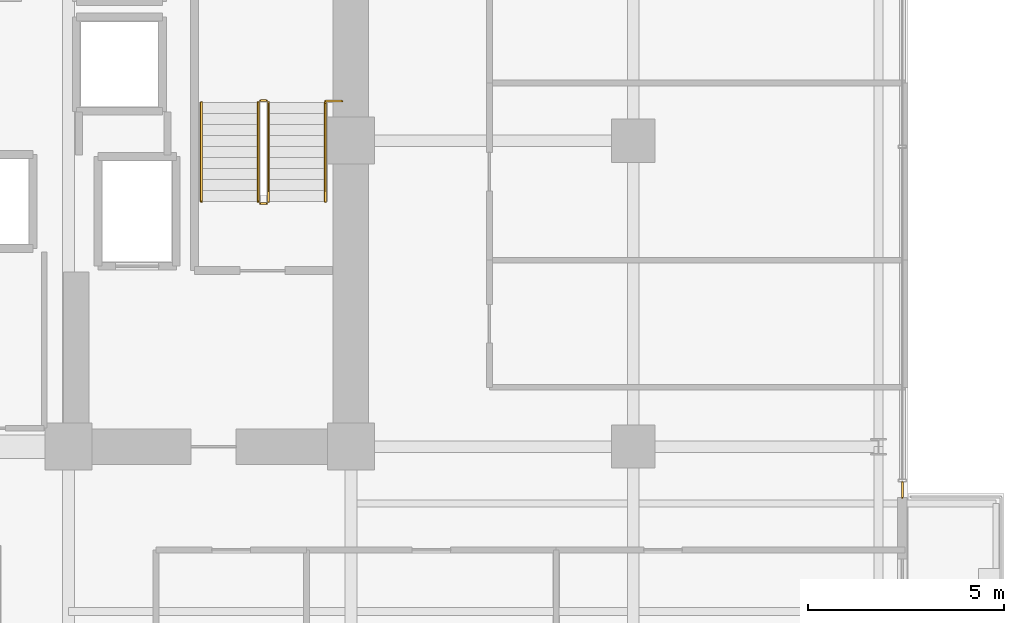
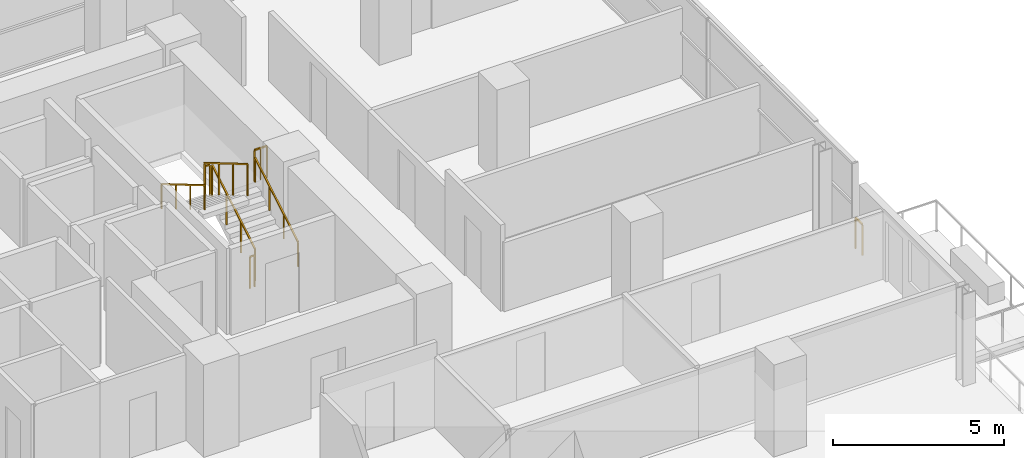
# One storey, part 29 of 30: 8 railings.
"""IFC4 building model written with IfcOpenShell, lengths in metres."""

from ifc_helpers import new_model, si_unit, direction, frame, origin, origin_2d, place, context, subcontext, project, spatial, rectangle, extrude, material, type_object, element, save


model = new_model("IFC4")

# Units and contexts
model_context = context("Model", 3, precision=1e-05, world=origin(), true_north=direction((0.0, 1.0)))
body_context = subcontext(model_context, "Body", "Model", "MODEL_VIEW")
ifc_project = project(units=[si_unit("LENGTHUNIT", "METRE"), si_unit("AREAUNIT", "SQUARE_METRE"), si_unit("VOLUMEUNIT", "CUBIC_METRE"), si_unit("PLANEANGLEUNIT", "RADIAN"), si_unit("MASSUNIT", "GRAM", prefix="KILO")], contexts=[model_context])

# Site, building, storey
site_placement = place(None, origin())
site = spatial("IfcSite", under=ifc_project, at=site_placement, CompositionType="ELEMENT")
building_placement = place(site_placement, origin())
building = spatial("IfcBuilding", under=site, at=building_placement, Name="Zarnakvel Exchange Tower", CompositionType="ELEMENT")
storey_placement = place(building_placement, frame((0.0, 0.0, 50.5)))
storey = spatial("IfcBuildingStorey", under=building, at=storey_placement, Name="L13", CompositionType="ELEMENT", Elevation=50.5)

# Railings
ifc_material_1 = material(Name="Architectural Bronze Anodised Aluminium", Category="aluminium")
railing_type_1 = type_object("IfcRailingType", Name="GR-02", PredefinedType="GUARDRAIL", material=ifc_material_1)
railing_1_placement = place(storey_placement, frame((28.4599609375, -2.10009765625, 0.0)))
element("IfcRailing", 1, at=railing_1_placement, inside=storey, type_object=railing_type_1, Name="L13 Corner Spandrel Balustrade #9", PredefinedType="GUARDRAIL", context=body_context, shape_type="SweptSolid", body=[
    extrude(rectangle(XDim=0.048095703125, YDim=0.048095703125, at=origin_2d()), frame((0.0, 0.0, 1.09619140625), z_axis=(0.0, -1.0, 0.0), x_axis=(1.0, 0.0, 0.0)), (0.0, 0.0, 1.0), 0.39990234375),
    extrude(rectangle(XDim=0.0419921875, YDim=0.0419921875, at=origin_2d()), origin(), (0.0, 0.0, 1.0), 1.072021484375),
    extrude(rectangle(XDim=0.0419921875, YDim=0.0419921875, at=origin_2d()), frame((0.0, -0.39990234375, 0.0)), (0.0, 0.0, 1.0), 1.072021484375),
])
ifc_material_2 = material(Name="Brushed Stainless Steel", Category="steel")
railing_type_2 = type_object("IfcRailingType", Name="HR-01", PredefinedType="HANDRAIL", material=ifc_material_2)
railing_2_placement = place(storey_placement, frame((13.75, 5.050048828125, 0.1650390625)))
element("IfcRailing", 2, at=railing_2_placement, inside=storey, type_object=railing_type_2, Name="L13 ST-02 stair handrail 1", PredefinedType="HANDRAIL", context=body_context, shape_type="SweptSolid", body=[
    extrude(rectangle(XDim=0.048095703125, YDim=0.048095703125, at=origin_2d()), frame((0.0, 0.0, 0.8759765625), z_axis=(0.0, 0.861560626758, 0.507654692109), x_axis=(-1.0, 0.0, 0.0)), (0.0, 0.0, 1.0), 2.925048828125),
    extrude(rectangle(XDim=0.0419921875, YDim=0.0419921875, at=origin_2d()), origin(), (0.0, 0.0, 1.0), 0.851806640625),
    extrude(rectangle(XDim=0.0419921875, YDim=0.0419921875, at=origin_2d()), frame((0.0, 0.840087890625, 0.494873046875)), (0.0, 0.0, 1.0), 0.851806640625),
    extrude(rectangle(XDim=0.0419921875, YDim=0.0419921875, at=origin_2d()), frame((0.0, 1.679931640625, 0.989990234375)), (0.0, 0.0, 1.0), 0.851806640625),
    extrude(rectangle(XDim=0.0419921875, YDim=0.0419921875, at=origin_2d()), frame((0.0, 2.52001953125, 1.48486328125)), (0.0, 0.0, 1.0), 0.851806640625),
])
railing_3_placement = place(storey_placement, frame((10.590087890625, 7.570068359375, 1.81494140625)))
element("IfcRailing", 3, at=railing_3_placement, inside=storey, type_object=railing_type_2, Name="L13 ST-02 stair handrail 2", PredefinedType="HANDRAIL", context=body_context, shape_type="SweptSolid", body=[
    extrude(rectangle(XDim=0.048095703125, YDim=0.048095703125, at=origin_2d()), frame((0.0, 0.0, 0.8759765625), z_axis=(0.0, -0.86152411907, 0.507716645641), x_axis=(1.0, 0.0, 0.0)), (0.0, 0.0, 1.0), 2.925048828125),
    extrude(rectangle(XDim=0.0419921875, YDim=0.0419921875, at=origin_2d()), origin(), (0.0, 0.0, 1.0), 0.851806640625),
    extrude(rectangle(XDim=0.0419921875, YDim=0.0419921875, at=origin_2d()), frame((0.0, -0.840087890625, 0.4951171875)), (0.0, 0.0, 1.0), 0.851806640625),
    extrude(rectangle(XDim=0.0419921875, YDim=0.0419921875, at=origin_2d()), frame((0.0, -1.679931640625, 0.989990234375)), (0.0, 0.0, 1.0), 0.851806640625),
    extrude(rectangle(XDim=0.0419921875, YDim=0.0419921875, at=origin_2d()), frame((0.0, -2.52001953125, 1.485107421875)), (0.0, 0.0, 1.0), 0.851806640625),
])
railing_type_3 = type_object("IfcRailingType", Name="SG-01", PredefinedType="GUARDRAIL", material=ifc_material_1)
railing_4_placement = place(storey_placement, frame((12.300048828125, 5.050048828125, 0.1650390625)))
element("IfcRailing", 4, at=railing_4_placement, inside=storey, type_object=railing_type_3, Name="L13 ST-02 stair guard 1", PredefinedType="GUARDRAIL", context=body_context, shape_type="SweptSolid", body=[
    extrude(rectangle(XDim=0.048095703125, YDim=0.048095703125, at=origin_2d()), frame((0.0, 0.0, 1.1259765625), z_axis=(0.0, 0.861560626758, 0.507654692109), x_axis=(-1.0, 0.0, 0.0)), (0.0, 0.0, 1.0), 2.925048828125),
    extrude(rectangle(XDim=0.0419921875, YDim=0.0419921875, at=origin_2d()), origin(), (0.0, 0.0, 1.0), 1.101806640625),
    extrude(rectangle(XDim=0.0419921875, YDim=0.0419921875, at=origin_2d()), frame((0.0, 0.840087890625, 0.494873046875)), (0.0, 0.0, 1.0), 1.101806640625),
    extrude(rectangle(XDim=0.0419921875, YDim=0.0419921875, at=origin_2d()), frame((0.0, 1.679931640625, 0.989990234375)), (0.0, 0.0, 1.0), 1.101806640625),
    extrude(rectangle(XDim=0.0419921875, YDim=0.0419921875, at=origin_2d()), frame((0.0, 2.52001953125, 1.48486328125)), (0.0, 0.0, 1.0), 1.101806640625),
])
railing_5_placement = place(storey_placement, frame((12.25, 7.6201171875, 1.64990234375)))
element("IfcRailing", 5, at=railing_5_placement, inside=storey, type_object=railing_type_3, Name="L13 ST-02 stair guard 2", PredefinedType="GUARDRAIL", context=body_context, shape_type="SweptSolid", body=[
    extrude(rectangle(XDim=0.048095703125, YDim=0.048095703125, at=origin_2d()), frame((0.0, 0.0, 1.1259765625), z_axis=(-1.0, 0.0, 0.0), x_axis=(0.0, -1.0, 0.0)), (0.0, 0.0, 1.0), 0.159912109375),
    extrude(rectangle(XDim=0.0419921875, YDim=0.0419921875, at=origin_2d()), origin(), (0.0, 0.0, 1.0), 1.101806640625),
    extrude(rectangle(XDim=0.0419921875, YDim=0.0419921875, at=origin_2d()), frame((-0.159912109375, 0.0, 0.0)), (0.0, 0.0, 1.0), 1.101806640625),
])
railing_6_placement = place(storey_placement, frame((12.0400390625, 7.570068359375, 1.81494140625)))
element("IfcRailing", 6, at=railing_6_placement, inside=storey, type_object=railing_type_3, Name="L13 ST-02 stair guard 3", PredefinedType="GUARDRAIL", context=body_context, shape_type="SweptSolid", body=[
    extrude(rectangle(XDim=0.048095703125, YDim=0.048095703125, at=origin_2d()), frame((0.0, 0.0, 1.1259765625), z_axis=(0.0, -0.86152411907, 0.507716645641), x_axis=(1.0, 0.0, 0.0)), (0.0, 0.0, 1.0), 2.925048828125),
    extrude(rectangle(XDim=0.0419921875, YDim=0.0419921875, at=origin_2d()), origin(), (0.0, 0.0, 1.0), 1.101806640625),
    extrude(rectangle(XDim=0.0419921875, YDim=0.0419921875, at=origin_2d()), frame((0.0, -0.840087890625, 0.4951171875)), (0.0, 0.0, 1.0), 1.101806640625),
    extrude(rectangle(XDim=0.0419921875, YDim=0.0419921875, at=origin_2d()), frame((0.0, -1.679931640625, 0.989990234375)), (0.0, 0.0, 1.0), 1.101806640625),
    extrude(rectangle(XDim=0.0419921875, YDim=0.0419921875, at=origin_2d()), frame((0.0, -2.52001953125, 1.485107421875)), (0.0, 0.0, 1.0), 1.101806640625),
])
railing_7_placement = place(storey_placement, frame((12.25, 5.0, 0.0)))
element("IfcRailing", 7, at=railing_7_placement, inside=storey, type_object=railing_type_3, Name="L13 ST-02 stair guard 4", PredefinedType="GUARDRAIL", context=body_context, shape_type="SweptSolid", body=[
    extrude(rectangle(XDim=0.048095703125, YDim=0.048095703125, at=origin_2d()), frame((0.0, 0.0, 1.1259765625), z_axis=(-1.0, 0.0, 0.0), x_axis=(0.0, -1.0, 0.0)), (0.0, 0.0, 1.0), 0.159912109375),
    extrude(rectangle(XDim=0.0419921875, YDim=0.0419921875, at=origin_2d()), origin(), (0.0, 0.0, 1.0), 1.101806640625),
    extrude(rectangle(XDim=0.0419921875, YDim=0.0419921875, at=origin_2d()), frame((-0.159912109375, 0.0, 0.0)), (0.0, 0.0, 1.0), 1.101806640625),
])
railing_8_placement = place(storey_placement, frame((13.75, 7.610107421875, 1.64990234375)))
element("IfcRailing", 8, at=railing_8_placement, inside=storey, type_object=railing_type_3, Name="L13 ST-02 Landing Slot Guardrail", PredefinedType="GUARDRAIL", context=body_context, shape_type="SweptSolid", body=[
    extrude(rectangle(XDim=0.048095703125, YDim=0.048095703125, at=origin_2d()), frame((0.0, 0.0, 1.1259765625), z_axis=(1.0, 0.0, 0.0), x_axis=(0.0, 1.0, 0.0)), (0.0, 0.0, 1.0), 0.429931640625),
    extrude(rectangle(XDim=0.0419921875, YDim=0.0419921875, at=origin_2d()), origin(), (0.0, 0.0, 1.0), 1.101806640625),
    extrude(rectangle(XDim=0.0419921875, YDim=0.0419921875, at=origin_2d()), frame((0.21484375, 0.0, 0.0)), (0.0, 0.0, 1.0), 1.101806640625),
    extrude(rectangle(XDim=0.0419921875, YDim=0.0419921875, at=origin_2d()), frame((0.429931640625, 0.0, 0.0)), (0.0, 0.0, 1.0), 1.101806640625),
])

save(model, "model.ifc")
